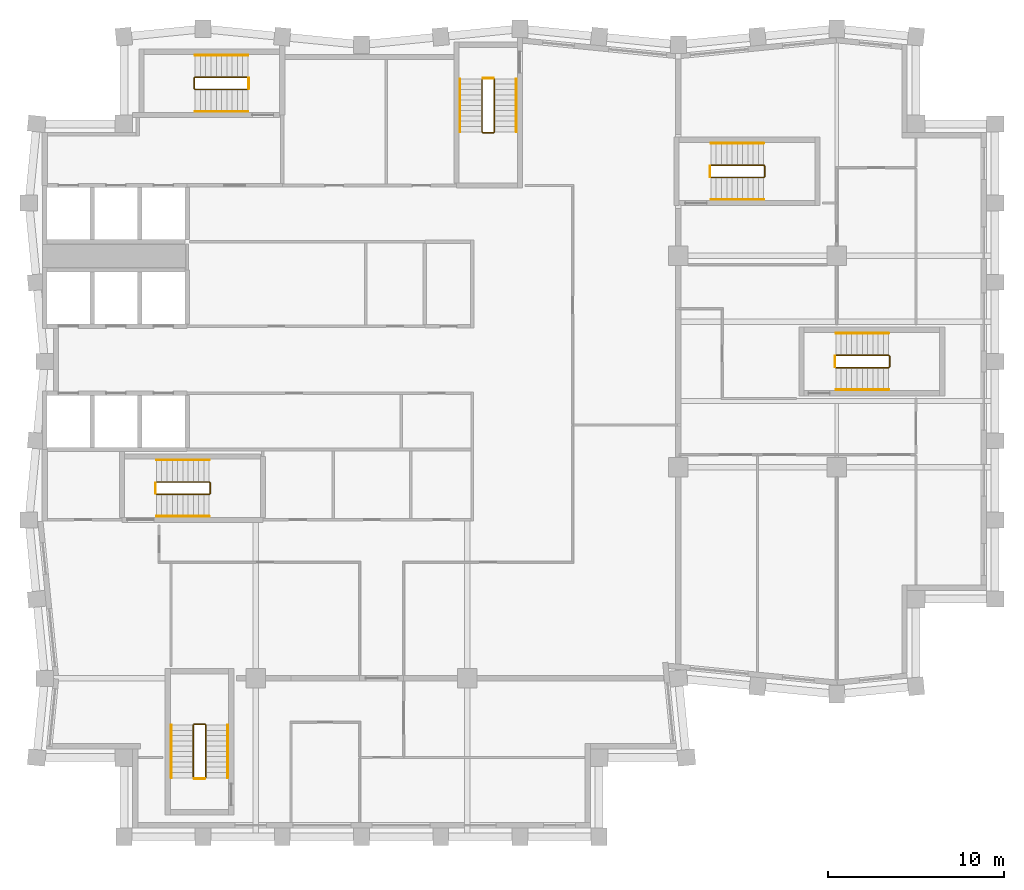
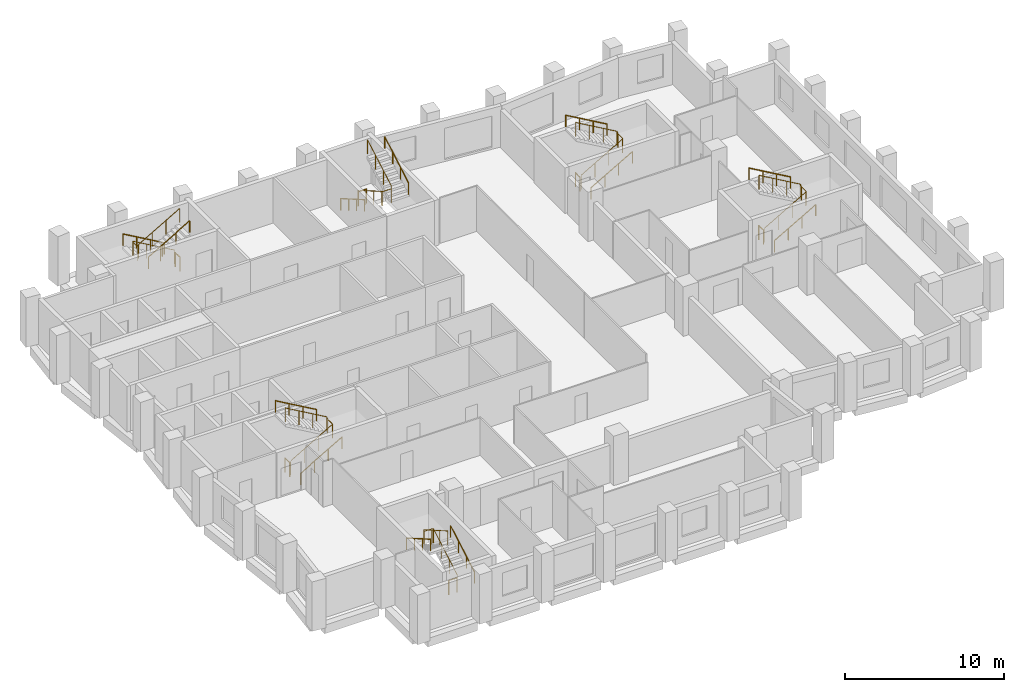
# One storey, part 8 of 8: 24 railings.
"""IFC4 building model written with IfcOpenShell, lengths in metres."""

from ifc_helpers import new_model, si_unit, direction, frame, origin, origin_2d, place, context, subcontext, project, spatial, circle, extrude, material, type_object, element, save


model = new_model("IFC4")

# Units and contexts
model_context = context("Model", 3, precision=1e-05, world=origin(), true_north=direction((0.0, 1.0)))
body_context = subcontext(model_context, "Body", "Model", "MODEL_VIEW")
ifc_project = project(units=[si_unit("LENGTHUNIT", "METRE"), si_unit("AREAUNIT", "SQUARE_METRE"), si_unit("VOLUMEUNIT", "CUBIC_METRE"), si_unit("PLANEANGLEUNIT", "RADIAN"), si_unit("MASSUNIT", "GRAM", prefix="KILO")], contexts=[model_context])

# Site, building, storey
site_placement = place(None, origin())
site = spatial("IfcSite", under=ifc_project, at=site_placement, CompositionType="ELEMENT")
building_placement = place(site_placement, origin())
building = spatial("IfcBuilding", under=site, at=building_placement, Name="Brondeck Convention Tower", CompositionType="ELEMENT")
storey_placement = place(building_placement, frame((0.0, 0.0, 210.199951171875)))
storey = spatial("IfcBuildingStorey", under=building, at=storey_placement, Name="L51", CompositionType="ELEMENT", Elevation=210.199951171875)

# Railings
ifc_material = material(Name="Steel S355", Category="steel")
railing_type_1 = type_object("IfcRailingType", Name="Stair guard 1100", PredefinedType="GUARDRAIL", material=ifc_material)
railing_1_placement = place(storey_placement, frame((6.35009765625, 37.449951171875, 0.1728515625)))
element("IfcRailing", 1, at=railing_1_placement, inside=storey, type_object=railing_type_1, Name="L51 ST-1 stair guard 1", PredefinedType="GUARDRAIL", context=body_context, shape_type="SweptSolid", body=[
    extrude(circle(Radius=0.02392578125, at=origin_2d()), frame((0.0, 0.0, 1.076171875), z_axis=(0.866619684472, 0.0, 0.498969260062), x_axis=(0.0, 1.0, 0.0)), (0.0, 0.0, 1.0), 3.461669921875),
    extrude(circle(Radius=0.02392578125, at=origin_2d()), frame((3.0, 0.0, 2.80322265625), z_axis=(0.705375805398, 0.708833529934, 0.0), x_axis=(-0.708833529934, 0.705375805398, 0.0)), (0.0, 0.0, 1.0), 0.070556640625),
    extrude(circle(Radius=0.02392578125, at=origin_2d()), frame((3.0498046875, 0.050048828125, 2.80322265625), z_axis=(0.0, 1.0, 0.0), x_axis=(-1.0, 0.0, 0.0)), (0.0, 0.0, 1.0), 0.60009765625),
    extrude(circle(Radius=0.02392578125, at=origin_2d()), frame((3.0498046875, 0.650146484375, 2.80322265625), z_axis=(-0.26715648603, 0.26715648603, 0.925880566782), x_axis=(-0.707106781187, -0.707106781187, 0.0)), (0.0, 0.0, 1.0), 0.1865234375),
    extrude(circle(Radius=0.02392578125, at=origin_2d()), frame((3.0, 0.699951171875, 2.97607421875), z_axis=(-0.866619684472, 0.0, 0.498969260062), x_axis=(0.0, -1.0, 0.0)), (0.0, 0.0, 1.0), 3.461669921875),
    extrude(circle(Radius=0.02099609375, at=origin_2d()), origin(), (0.0, 0.0, 1.0), 1.052001953125),
    extrude(circle(Radius=0.02099609375, at=origin_2d()), frame((1.0, 0.0, 0.57568359375)), (0.0, 0.0, 1.0), 1.052001953125),
    extrude(circle(Radius=0.02099609375, at=origin_2d()), frame((2.0, 0.0, 1.151611328125)), (0.0, 0.0, 1.0), 1.052001953125),
    extrude(circle(Radius=0.02099609375, at=origin_2d()), frame((3.0, 0.0, 1.727294921875)), (0.0, 0.0, 1.0), 1.052001953125),
    extrude(circle(Radius=0.02099609375, at=origin_2d()), frame((3.0498046875, 0.050048828125, 1.727294921875)), (0.0, 0.0, 1.0), 1.052001953125),
    extrude(circle(Radius=0.02099609375, at=origin_2d()), frame((3.0498046875, 0.650146484375, 1.727294921875)), (0.0, 0.0, 1.0), 1.052001953125),
    extrude(circle(Radius=0.02099609375, at=origin_2d()), frame((3.0, 0.699951171875, 1.89990234375)), (0.0, 0.0, 1.0), 1.052001953125),
    extrude(circle(Radius=0.02099609375, at=origin_2d()), frame((2.0, 0.699951171875, 2.4755859375)), (0.0, 0.0, 1.0), 1.052001953125),
    extrude(circle(Radius=0.02099609375, at=origin_2d()), frame((1.0, 0.699951171875, 3.051513671875)), (0.0, 0.0, 1.0), 1.052001953125),
    extrude(circle(Radius=0.02099609375, at=origin_2d()), frame((0.0, 0.699951171875, 3.627197265625)), (0.0, 0.0, 1.0), 1.052001953125),
])
railing_2_placement = place(storey_placement, frame((6.300048828125, 37.5, 0.0)))
element("IfcRailing", 2, at=railing_2_placement, inside=storey, type_object=railing_type_1, Name="L51 ST-1 stair guard 2", PredefinedType="GUARDRAIL", context=body_context, shape_type="SweptSolid", body=[
    extrude(circle(Radius=0.02392578125, at=origin_2d()), frame((0.0, 0.0, 1.076171875), z_axis=(0.0, 1.0, 0.0), x_axis=(-1.0, 0.0, 0.0)), (0.0, 0.0, 1.0), 0.60009765625),
    extrude(circle(Radius=0.02099609375, at=origin_2d()), origin(), (0.0, 0.0, 1.0), 1.052001953125),
    extrude(circle(Radius=0.02099609375, at=origin_2d()), frame((0.0, 0.60009765625, 0.0)), (0.0, 0.0, 1.0), 1.052001953125),
])
railing_3_placement = place(storey_placement, frame((24.85009765625, 61.050048828125, 0.1728515625)))
element("IfcRailing", 3, at=railing_3_placement, inside=storey, type_object=railing_type_1, Name="L51 ST-2 stair guard 1", PredefinedType="GUARDRAIL", context=body_context, shape_type="SweptSolid", body=[
    extrude(circle(Radius=0.02392578125, at=origin_2d()), frame((0.0, 0.0, 1.076171875), z_axis=(0.0, -0.866619684472, 0.498969260062), x_axis=(1.0, 0.0, 0.0)), (0.0, 0.0, 1.0), 3.461669921875),
    extrude(circle(Radius=0.02392578125, at=origin_2d()), frame((0.0, -3.0, 2.80322265625), z_axis=(0.705375805398, -0.708833529934, 0.0), x_axis=(0.708833529934, 0.705375805398, 0.0)), (0.0, 0.0, 1.0), 0.070556640625),
    extrude(circle(Radius=0.02392578125, at=origin_2d()), frame((0.0498046875, -3.050048828125, 2.80322265625), z_axis=(1.0, 0.0, 0.0), x_axis=(0.0, 1.0, 0.0)), (0.0, 0.0, 1.0), 0.60009765625),
    extrude(circle(Radius=0.02392578125, at=origin_2d()), frame((0.64990234375, -3.050048828125, 2.80322265625), z_axis=(0.268277960024, 0.268277960024, 0.925231793839), x_axis=(-0.707106781187, 0.707106781187, 0.0)), (0.0, 0.0, 1.0), 0.1865234375),
    extrude(circle(Radius=0.02392578125, at=origin_2d()), frame((0.699951171875, -3.0, 2.97607421875), z_axis=(0.0, 0.866619684472, 0.498969260062), x_axis=(-1.0, 0.0, 0.0)), (0.0, 0.0, 1.0), 3.461669921875),
    extrude(circle(Radius=0.02099609375, at=origin_2d()), origin(), (0.0, 0.0, 1.0), 1.052001953125),
    extrude(circle(Radius=0.02099609375, at=origin_2d()), frame((0.0, -1.0, 0.57568359375)), (0.0, 0.0, 1.0), 1.052001953125),
    extrude(circle(Radius=0.02099609375, at=origin_2d()), frame((0.0, -2.0, 1.151611328125)), (0.0, 0.0, 1.0), 1.052001953125),
    extrude(circle(Radius=0.02099609375, at=origin_2d()), frame((0.0, -3.0, 1.727294921875)), (0.0, 0.0, 1.0), 1.052001953125),
    extrude(circle(Radius=0.02099609375, at=origin_2d()), frame((0.0498046875, -3.050048828125, 1.727294921875)), (0.0, 0.0, 1.0), 1.052001953125),
    extrude(circle(Radius=0.02099609375, at=origin_2d()), frame((0.64990234375, -3.050048828125, 1.727294921875)), (0.0, 0.0, 1.0), 1.052001953125),
    extrude(circle(Radius=0.02099609375, at=origin_2d()), frame((0.699951171875, -3.0, 1.89990234375)), (0.0, 0.0, 1.0), 1.052001953125),
    extrude(circle(Radius=0.02099609375, at=origin_2d()), frame((0.699951171875, -2.0, 2.4755859375)), (0.0, 0.0, 1.0), 1.052001953125),
    extrude(circle(Radius=0.02099609375, at=origin_2d()), frame((0.699951171875, -1.0, 3.051513671875)), (0.0, 0.0, 1.0), 1.052001953125),
    extrude(circle(Radius=0.02099609375, at=origin_2d()), frame((0.699951171875, 0.0, 3.627197265625)), (0.0, 0.0, 1.0), 1.052001953125),
])
railing_4_placement = place(storey_placement, frame((24.89990234375, 61.10009765625, 0.0)))
element("IfcRailing", 4, at=railing_4_placement, inside=storey, type_object=railing_type_1, Name="L51 ST-2 stair guard 2", PredefinedType="GUARDRAIL", context=body_context, shape_type="SweptSolid", body=[
    extrude(circle(Radius=0.02392578125, at=origin_2d()), frame((0.0, 0.0, 1.076171875), z_axis=(1.0, 0.0, 0.0), x_axis=(0.0, 1.0, 0.0)), (0.0, 0.0, 1.0), 0.60009765625),
    extrude(circle(Radius=0.02099609375, at=origin_2d()), origin(), (0.0, 0.0, 1.0), 1.052001953125),
    extrude(circle(Radius=0.02099609375, at=origin_2d()), frame((0.60009765625, 0.0, 0.0)), (0.0, 0.0, 1.0), 1.052001953125),
])
railing_5_placement = place(storey_placement, frame((11.550048828125, 61.14990234375, 0.1728515625)))
element("IfcRailing", 5, at=railing_5_placement, inside=storey, type_object=railing_type_1, Name="L51 ST-3 stair guard 1", PredefinedType="GUARDRAIL", context=body_context, shape_type="SweptSolid", body=[
    extrude(circle(Radius=0.02392578125, at=origin_2d()), frame((0.0, 0.0, 1.076171875), z_axis=(-0.866619684472, 0.0, 0.498969260062), x_axis=(0.0, -1.0, 0.0)), (0.0, 0.0, 1.0), 3.461669921875),
    extrude(circle(Radius=0.02392578125, at=origin_2d()), frame((-3.0, 0.0, 2.80322265625), z_axis=(-0.708833529934, -0.705375805398, 0.0), x_axis=(0.705375805398, -0.708833529934, 0.0)), (0.0, 0.0, 1.0), 0.070556640625),
    extrude(circle(Radius=0.02392578125, at=origin_2d()), frame((-3.050048828125, -0.0498046875, 2.80322265625), z_axis=(0.0, -1.0, 0.0), x_axis=(1.0, 0.0, 0.0)), (0.0, 0.0, 1.0), 0.60009765625),
    extrude(circle(Radius=0.02392578125, at=origin_2d()), frame((-3.050048828125, -0.64990234375, 2.80322265625), z_axis=(0.268277960024, -0.268277960024, 0.925231793839), x_axis=(0.707106781187, 0.707106781187, 0.0)), (0.0, 0.0, 1.0), 0.1865234375),
    extrude(circle(Radius=0.02392578125, at=origin_2d()), frame((-3.0, -0.699951171875, 2.97607421875), z_axis=(0.866619684472, 0.0, 0.498969260062), x_axis=(0.0, 1.0, 0.0)), (0.0, 0.0, 1.0), 3.461669921875),
    extrude(circle(Radius=0.02099609375, at=origin_2d()), origin(), (0.0, 0.0, 1.0), 1.052001953125),
    extrude(circle(Radius=0.02099609375, at=origin_2d()), frame((-1.0, 0.0, 0.57568359375)), (0.0, 0.0, 1.0), 1.052001953125),
    extrude(circle(Radius=0.02099609375, at=origin_2d()), frame((-2.0, 0.0, 1.151611328125)), (0.0, 0.0, 1.0), 1.052001953125),
    extrude(circle(Radius=0.02099609375, at=origin_2d()), frame((-3.0, 0.0, 1.727294921875)), (0.0, 0.0, 1.0), 1.052001953125),
    extrude(circle(Radius=0.02099609375, at=origin_2d()), frame((-3.050048828125, -0.0498046875, 1.727294921875)), (0.0, 0.0, 1.0), 1.052001953125),
    extrude(circle(Radius=0.02099609375, at=origin_2d()), frame((-3.050048828125, -0.64990234375, 1.727294921875)), (0.0, 0.0, 1.0), 1.052001953125),
    extrude(circle(Radius=0.02099609375, at=origin_2d()), frame((-3.0, -0.699951171875, 1.89990234375)), (0.0, 0.0, 1.0), 1.052001953125),
    extrude(circle(Radius=0.02099609375, at=origin_2d()), frame((-2.0, -0.699951171875, 2.4755859375)), (0.0, 0.0, 1.0), 1.052001953125),
    extrude(circle(Radius=0.02099609375, at=origin_2d()), frame((-1.0, -0.699951171875, 3.051513671875)), (0.0, 0.0, 1.0), 1.052001953125),
    extrude(circle(Radius=0.02099609375, at=origin_2d()), frame((0.0, -0.699951171875, 3.627197265625)), (0.0, 0.0, 1.0), 1.052001953125),
])
railing_6_placement = place(storey_placement, frame((11.60009765625, 61.10009765625, 0.0)))
element("IfcRailing", 6, at=railing_6_placement, inside=storey, type_object=railing_type_1, Name="L51 ST-3 stair guard 2", PredefinedType="GUARDRAIL", context=body_context, shape_type="SweptSolid", body=[
    extrude(circle(Radius=0.02392578125, at=origin_2d()), frame((0.0, 0.0, 1.076171875), z_axis=(0.0, -1.0, 0.0), x_axis=(1.0, 0.0, 0.0)), (0.0, 0.0, 1.0), 0.60009765625),
    extrude(circle(Radius=0.02099609375, at=origin_2d()), origin(), (0.0, 0.0, 1.0), 1.052001953125),
    extrude(circle(Radius=0.02099609375, at=origin_2d()), frame((0.0, -0.60009765625, 0.0)), (0.0, 0.0, 1.0), 1.052001953125),
])
railing_7_placement = place(storey_placement, frame((37.85009765625, 55.449951171875, 0.1728515625)))
element("IfcRailing", 7, at=railing_7_placement, inside=storey, type_object=railing_type_1, Name="L51 ST-AE stair guard 1", PredefinedType="GUARDRAIL", context=body_context, shape_type="SweptSolid", body=[
    extrude(circle(Radius=0.02392578125, at=origin_2d()), frame((0.0, 0.0, 1.076171875), z_axis=(0.866619684472, 0.0, 0.498969260062), x_axis=(0.0, 1.0, 0.0)), (0.0, 0.0, 1.0), 3.461669921875),
    extrude(circle(Radius=0.02392578125, at=origin_2d()), frame((3.0, 0.0, 2.80322265625), z_axis=(0.705375805398, 0.708833529934, 0.0), x_axis=(-0.708833529934, 0.705375805398, 0.0)), (0.0, 0.0, 1.0), 0.070556640625),
    extrude(circle(Radius=0.02392578125, at=origin_2d()), frame((3.0498046875, 0.050048828125, 2.80322265625), z_axis=(0.0, 1.0, 0.0), x_axis=(-1.0, 0.0, 0.0)), (0.0, 0.0, 1.0), 0.60009765625),
    extrude(circle(Radius=0.02392578125, at=origin_2d()), frame((3.0498046875, 0.650146484375, 2.80322265625), z_axis=(-0.26715648603, 0.26715648603, 0.925880566782), x_axis=(-0.707106781187, -0.707106781187, 0.0)), (0.0, 0.0, 1.0), 0.1865234375),
    extrude(circle(Radius=0.02392578125, at=origin_2d()), frame((3.0, 0.699951171875, 2.97607421875), z_axis=(-0.866619684472, 0.0, 0.498969260062), x_axis=(0.0, -1.0, 0.0)), (0.0, 0.0, 1.0), 3.461669921875),
    extrude(circle(Radius=0.02099609375, at=origin_2d()), origin(), (0.0, 0.0, 1.0), 1.052001953125),
    extrude(circle(Radius=0.02099609375, at=origin_2d()), frame((1.0, 0.0, 0.57568359375)), (0.0, 0.0, 1.0), 1.052001953125),
    extrude(circle(Radius=0.02099609375, at=origin_2d()), frame((2.0, 0.0, 1.151611328125)), (0.0, 0.0, 1.0), 1.052001953125),
    extrude(circle(Radius=0.02099609375, at=origin_2d()), frame((3.0, 0.0, 1.727294921875)), (0.0, 0.0, 1.0), 1.052001953125),
    extrude(circle(Radius=0.02099609375, at=origin_2d()), frame((3.0498046875, 0.050048828125, 1.727294921875)), (0.0, 0.0, 1.0), 1.052001953125),
    extrude(circle(Radius=0.02099609375, at=origin_2d()), frame((3.0498046875, 0.650146484375, 1.727294921875)), (0.0, 0.0, 1.0), 1.052001953125),
    extrude(circle(Radius=0.02099609375, at=origin_2d()), frame((3.0, 0.699951171875, 1.89990234375)), (0.0, 0.0, 1.0), 1.052001953125),
    extrude(circle(Radius=0.02099609375, at=origin_2d()), frame((2.0, 0.699951171875, 2.4755859375)), (0.0, 0.0, 1.0), 1.052001953125),
    extrude(circle(Radius=0.02099609375, at=origin_2d()), frame((1.0, 0.699951171875, 3.051513671875)), (0.0, 0.0, 1.0), 1.052001953125),
    extrude(circle(Radius=0.02099609375, at=origin_2d()), frame((0.0, 0.699951171875, 3.627197265625)), (0.0, 0.0, 1.0), 1.052001953125),
])
railing_8_placement = place(storey_placement, frame((37.800048828125, 55.5, 0.0)))
element("IfcRailing", 8, at=railing_8_placement, inside=storey, type_object=railing_type_1, Name="L51 ST-AE stair guard 2", PredefinedType="GUARDRAIL", context=body_context, shape_type="SweptSolid", body=[
    extrude(circle(Radius=0.02392578125, at=origin_2d()), frame((0.0, 0.0, 1.076171875), z_axis=(0.0, 1.0, 0.0), x_axis=(-1.0, 0.0, 0.0)), (0.0, 0.0, 1.0), 0.60009765625),
    extrude(circle(Radius=0.02099609375, at=origin_2d()), origin(), (0.0, 0.0, 1.0), 1.052001953125),
    extrude(circle(Radius=0.02099609375, at=origin_2d()), frame((0.0, 0.60009765625, 0.0)), (0.0, 0.0, 1.0), 1.052001953125),
])
railing_9_placement = place(storey_placement, frame((9.14990234375, 21.35009765625, 0.1728515625)))
element("IfcRailing", 9, at=railing_9_placement, inside=storey, type_object=railing_type_1, Name="L51 ST-BE stair guard 1", PredefinedType="GUARDRAIL", context=body_context, shape_type="SweptSolid", body=[
    extrude(circle(Radius=0.02392578125, at=origin_2d()), frame((0.0, 0.0, 1.076171875), z_axis=(0.0, 0.866619684472, 0.498969260062), x_axis=(-1.0, 0.0, 0.0)), (0.0, 0.0, 1.0), 3.461669921875),
    extrude(circle(Radius=0.02392578125, at=origin_2d()), frame((0.0, 3.0, 2.80322265625), z_axis=(-0.707106781187, 0.707106781187, 0.0), x_axis=(-0.707106781187, -0.707106781187, 0.0)), (0.0, 0.0, 1.0), 0.0703125),
    extrude(circle(Radius=0.02392578125, at=origin_2d()), frame((-0.0498046875, 3.0498046875, 2.80322265625), z_axis=(-1.0, 0.0, 0.0), x_axis=(0.0, -1.0, 0.0)), (0.0, 0.0, 1.0), 0.60009765625),
    extrude(circle(Radius=0.02392578125, at=origin_2d()), frame((-0.64990234375, 3.0498046875, 2.80322265625), z_axis=(-0.268371968888, -0.267062837333, 0.925556009775), x_axis=(0.705375805398, -0.708833529934, 0.0)), (0.0, 0.0, 1.0), 0.1865234375),
    extrude(circle(Radius=0.02392578125, at=origin_2d()), frame((-0.699951171875, 3.0, 2.97607421875), z_axis=(0.0, -0.866619684472, 0.498969260062), x_axis=(1.0, 0.0, 0.0)), (0.0, 0.0, 1.0), 3.461669921875),
    extrude(circle(Radius=0.02099609375, at=origin_2d()), origin(), (0.0, 0.0, 1.0), 1.052001953125),
    extrude(circle(Radius=0.02099609375, at=origin_2d()), frame((0.0, 1.0, 0.57568359375)), (0.0, 0.0, 1.0), 1.052001953125),
    extrude(circle(Radius=0.02099609375, at=origin_2d()), frame((0.0, 2.0, 1.151611328125)), (0.0, 0.0, 1.0), 1.052001953125),
    extrude(circle(Radius=0.02099609375, at=origin_2d()), frame((0.0, 3.0, 1.727294921875)), (0.0, 0.0, 1.0), 1.052001953125),
    extrude(circle(Radius=0.02099609375, at=origin_2d()), frame((-0.0498046875, 3.0498046875, 1.727294921875)), (0.0, 0.0, 1.0), 1.052001953125),
    extrude(circle(Radius=0.02099609375, at=origin_2d()), frame((-0.64990234375, 3.0498046875, 1.727294921875)), (0.0, 0.0, 1.0), 1.052001953125),
    extrude(circle(Radius=0.02099609375, at=origin_2d()), frame((-0.699951171875, 3.0, 1.89990234375)), (0.0, 0.0, 1.0), 1.052001953125),
    extrude(circle(Radius=0.02099609375, at=origin_2d()), frame((-0.699951171875, 2.0, 2.4755859375)), (0.0, 0.0, 1.0), 1.052001953125),
    extrude(circle(Radius=0.02099609375, at=origin_2d()), frame((-0.699951171875, 1.0, 3.051513671875)), (0.0, 0.0, 1.0), 1.052001953125),
    extrude(circle(Radius=0.02099609375, at=origin_2d()), frame((-0.699951171875, 0.0, 3.627197265625)), (0.0, 0.0, 1.0), 1.052001953125),
])
railing_10_placement = place(storey_placement, frame((9.10009765625, 21.300048828125, 0.0)))
element("IfcRailing", 10, at=railing_10_placement, inside=storey, type_object=railing_type_1, Name="L51 ST-BE stair guard 2", PredefinedType="GUARDRAIL", context=body_context, shape_type="SweptSolid", body=[
    extrude(circle(Radius=0.02392578125, at=origin_2d()), frame((0.0, 0.0, 1.076171875), z_axis=(-1.0, 0.0, 0.0), x_axis=(0.0, -1.0, 0.0)), (0.0, 0.0, 1.0), 0.60009765625),
    extrude(circle(Radius=0.02099609375, at=origin_2d()), origin(), (0.0, 0.0, 1.0), 1.052001953125),
    extrude(circle(Radius=0.02099609375, at=origin_2d()), frame((-0.60009765625, 0.0, 0.0)), (0.0, 0.0, 1.0), 1.052001953125),
])
railing_11_placement = place(storey_placement, frame((44.949951171875, 44.64990234375, 0.1728515625)))
element("IfcRailing", 11, at=railing_11_placement, inside=storey, type_object=railing_type_1, Name="L51 ST-AF stair guard 1", PredefinedType="GUARDRAIL", context=body_context, shape_type="SweptSolid", body=[
    extrude(circle(Radius=0.02392578125, at=origin_2d()), frame((0.0, 0.0, 1.076171875), z_axis=(0.866619684472, 0.0, 0.498969260062), x_axis=(0.0, 1.0, 0.0)), (0.0, 0.0, 1.0), 3.461669921875),
    extrude(circle(Radius=0.02392578125, at=origin_2d()), frame((3.0, 0.0, 2.80322265625), z_axis=(0.707106781187, 0.707106781187, 0.0), x_axis=(-0.707106781187, 0.707106781187, 0.0)), (0.0, 0.0, 1.0), 0.07080078125),
    extrude(circle(Radius=0.02392578125, at=origin_2d()), frame((3.050048828125, 0.050048828125, 2.80322265625), z_axis=(0.0, 1.0, 0.0), x_axis=(-1.0, 0.0, 0.0)), (0.0, 0.0, 1.0), 0.60009765625),
    extrude(circle(Radius=0.02392578125, at=origin_2d()), frame((3.050048828125, 0.650146484375, 2.80322265625), z_axis=(-0.268277960024, 0.268277960024, 0.925231793839), x_axis=(-0.707106781187, -0.707106781187, 0.0)), (0.0, 0.0, 1.0), 0.1865234375),
    extrude(circle(Radius=0.02392578125, at=origin_2d()), frame((3.0, 0.7001953125, 2.97607421875), z_axis=(-0.866619684472, 0.0, 0.498969260062), x_axis=(0.0, -1.0, 0.0)), (0.0, 0.0, 1.0), 3.461669921875),
    extrude(circle(Radius=0.02099609375, at=origin_2d()), origin(), (0.0, 0.0, 1.0), 1.052001953125),
    extrude(circle(Radius=0.02099609375, at=origin_2d()), frame((1.0, 0.0, 0.57568359375)), (0.0, 0.0, 1.0), 1.052001953125),
    extrude(circle(Radius=0.02099609375, at=origin_2d()), frame((2.0, 0.0, 1.151611328125)), (0.0, 0.0, 1.0), 1.052001953125),
    extrude(circle(Radius=0.02099609375, at=origin_2d()), frame((3.0, 0.0, 1.727294921875)), (0.0, 0.0, 1.0), 1.052001953125),
    extrude(circle(Radius=0.02099609375, at=origin_2d()), frame((3.050048828125, 0.050048828125, 1.727294921875)), (0.0, 0.0, 1.0), 1.052001953125),
    extrude(circle(Radius=0.02099609375, at=origin_2d()), frame((3.050048828125, 0.650146484375, 1.727294921875)), (0.0, 0.0, 1.0), 1.052001953125),
    extrude(circle(Radius=0.02099609375, at=origin_2d()), frame((3.0, 0.7001953125, 1.89990234375)), (0.0, 0.0, 1.0), 1.052001953125),
    extrude(circle(Radius=0.02099609375, at=origin_2d()), frame((2.0, 0.7001953125, 2.4755859375)), (0.0, 0.0, 1.0), 1.052001953125),
    extrude(circle(Radius=0.02099609375, at=origin_2d()), frame((1.0, 0.7001953125, 3.051513671875)), (0.0, 0.0, 1.0), 1.052001953125),
    extrude(circle(Radius=0.02099609375, at=origin_2d()), frame((0.0, 0.7001953125, 3.627197265625)), (0.0, 0.0, 1.0), 1.052001953125),
])
railing_12_placement = place(storey_placement, frame((44.89990234375, 44.699951171875, 0.0)))
element("IfcRailing", 12, at=railing_12_placement, inside=storey, type_object=railing_type_1, Name="L51 ST-AF stair guard 2", PredefinedType="GUARDRAIL", context=body_context, shape_type="SweptSolid", body=[
    extrude(circle(Radius=0.02392578125, at=origin_2d()), frame((0.0, 0.0, 1.076171875), z_axis=(0.0, 1.0, 0.0), x_axis=(-1.0, 0.0, 0.0)), (0.0, 0.0, 1.0), 0.60009765625),
    extrude(circle(Radius=0.02099609375, at=origin_2d()), origin(), (0.0, 0.0, 1.0), 1.052001953125),
    extrude(circle(Radius=0.02099609375, at=origin_2d()), frame((0.0, 0.60009765625, 0.0)), (0.0, 0.0, 1.0), 1.052001953125),
])
railing_type_2 = type_object("IfcRailingType", Name="Stair handrail", PredefinedType="HANDRAIL", material=ifc_material)
railing_13_placement = place(storey_placement, frame((6.35009765625, 36.199951171875, 0.1728515625)))
element("IfcRailing", 13, at=railing_13_placement, inside=storey, type_object=railing_type_2, Name="L51 ST-1 stair handrail 1", PredefinedType="HANDRAIL", context=body_context, shape_type="SweptSolid", body=[
    extrude(circle(Radius=0.02392578125, at=origin_2d()), frame((0.0, 0.0, 0.8759765625), z_axis=(0.866619684472, 0.0, 0.498969260062), x_axis=(0.0, 1.0, 0.0)), (0.0, 0.0, 1.0), 3.461669921875),
    extrude(circle(Radius=0.02099609375, at=origin_2d()), origin(), (0.0, 0.0, 1.0), 0.851806640625),
    extrude(circle(Radius=0.02099609375, at=origin_2d()), frame((1.0, 0.0, 0.57568359375)), (0.0, 0.0, 1.0), 0.851806640625),
    extrude(circle(Radius=0.02099609375, at=origin_2d()), frame((2.0, 0.0, 1.151611328125)), (0.0, 0.0, 1.0), 0.851806640625),
    extrude(circle(Radius=0.02099609375, at=origin_2d()), frame((3.0, 0.0, 1.727294921875)), (0.0, 0.0, 1.0), 0.851806640625),
])
railing_14_placement = place(storey_placement, frame((9.35009765625, 39.39990234375, 2.07275390625)))
element("IfcRailing", 14, at=railing_14_placement, inside=storey, type_object=railing_type_2, Name="L51 ST-1 stair handrail 2", PredefinedType="HANDRAIL", context=body_context, shape_type="SweptSolid", body=[
    extrude(circle(Radius=0.02392578125, at=origin_2d()), frame((0.0, 0.0, 0.8759765625), z_axis=(-0.866619684472, 0.0, 0.498969260062), x_axis=(0.0, -1.0, 0.0)), (0.0, 0.0, 1.0), 3.461669921875),
    extrude(circle(Radius=0.02099609375, at=origin_2d()), origin(), (0.0, 0.0, 1.0), 0.851806640625),
    extrude(circle(Radius=0.02099609375, at=origin_2d()), frame((-1.0, 0.0, 0.57568359375)), (0.0, 0.0, 1.0), 0.851806640625),
    extrude(circle(Radius=0.02099609375, at=origin_2d()), frame((-2.0, 0.0, 1.151611328125)), (0.0, 0.0, 1.0), 0.851806640625),
    extrude(circle(Radius=0.02099609375, at=origin_2d()), frame((-3.0, 0.0, 1.727294921875)), (0.0, 0.0, 1.0), 0.851806640625),
])
railing_15_placement = place(storey_placement, frame((23.60009765625, 61.050048828125, 0.1728515625)))
element("IfcRailing", 15, at=railing_15_placement, inside=storey, type_object=railing_type_2, Name="L51 ST-2 stair handrail 1", PredefinedType="HANDRAIL", context=body_context, shape_type="SweptSolid", body=[
    extrude(circle(Radius=0.02392578125, at=origin_2d()), frame((0.0, 0.0, 0.8759765625), z_axis=(0.0, -0.866619684472, 0.498969260062), x_axis=(1.0, 0.0, 0.0)), (0.0, 0.0, 1.0), 3.461669921875),
    extrude(circle(Radius=0.02099609375, at=origin_2d()), origin(), (0.0, 0.0, 1.0), 0.851806640625),
    extrude(circle(Radius=0.02099609375, at=origin_2d()), frame((0.0, -1.0, 0.57568359375)), (0.0, 0.0, 1.0), 0.851806640625),
    extrude(circle(Radius=0.02099609375, at=origin_2d()), frame((0.0, -2.0, 1.151611328125)), (0.0, 0.0, 1.0), 0.851806640625),
    extrude(circle(Radius=0.02099609375, at=origin_2d()), frame((0.0, -3.0, 1.727294921875)), (0.0, 0.0, 1.0), 0.851806640625),
])
railing_16_placement = place(storey_placement, frame((26.800048828125, 58.050048828125, 2.07275390625)))
element("IfcRailing", 16, at=railing_16_placement, inside=storey, type_object=railing_type_2, Name="L51 ST-2 stair handrail 2", PredefinedType="HANDRAIL", context=body_context, shape_type="SweptSolid", body=[
    extrude(circle(Radius=0.02392578125, at=origin_2d()), frame((0.0, 0.0, 0.8759765625), z_axis=(0.0, 0.866619684472, 0.498969260062), x_axis=(-1.0, 0.0, 0.0)), (0.0, 0.0, 1.0), 3.461669921875),
    extrude(circle(Radius=0.02099609375, at=origin_2d()), origin(), (0.0, 0.0, 1.0), 0.851806640625),
    extrude(circle(Radius=0.02099609375, at=origin_2d()), frame((0.0, 1.0, 0.57568359375)), (0.0, 0.0, 1.0), 0.851806640625),
    extrude(circle(Radius=0.02099609375, at=origin_2d()), frame((0.0, 2.0, 1.151611328125)), (0.0, 0.0, 1.0), 0.851806640625),
    extrude(circle(Radius=0.02099609375, at=origin_2d()), frame((0.0, 3.0, 1.727294921875)), (0.0, 0.0, 1.0), 0.851806640625),
])
railing_17_placement = place(storey_placement, frame((11.550048828125, 62.39990234375, 0.1728515625)))
element("IfcRailing", 17, at=railing_17_placement, inside=storey, type_object=railing_type_2, Name="L51 ST-3 stair handrail 1", PredefinedType="HANDRAIL", context=body_context, shape_type="SweptSolid", body=[
    extrude(circle(Radius=0.02392578125, at=origin_2d()), frame((0.0, 0.0, 0.8759765625), z_axis=(-0.866619684472, 0.0, 0.498969260062), x_axis=(0.0, -1.0, 0.0)), (0.0, 0.0, 1.0), 3.461669921875),
    extrude(circle(Radius=0.02099609375, at=origin_2d()), origin(), (0.0, 0.0, 1.0), 0.851806640625),
    extrude(circle(Radius=0.02099609375, at=origin_2d()), frame((-1.0, 0.0, 0.57568359375)), (0.0, 0.0, 1.0), 0.851806640625),
    extrude(circle(Radius=0.02099609375, at=origin_2d()), frame((-2.0, 0.0, 1.151611328125)), (0.0, 0.0, 1.0), 0.851806640625),
    extrude(circle(Radius=0.02099609375, at=origin_2d()), frame((-3.0, 0.0, 1.727294921875)), (0.0, 0.0, 1.0), 0.851806640625),
])
for number, where, name in (
    (18, (8.550048828125, 59.199951171875, 2.07275390625), "L51 ST-3 stair handrail 2"),
    (19, (37.85009765625, 54.199951171875, 0.1728515625), "L51 ST-AE stair handrail 1"),
):
    element("IfcRailing", number, at=place(storey_placement, frame(where)), inside=storey, type_object=railing_type_2, Name=name, PredefinedType="HANDRAIL", context=body_context, shape_type="SweptSolid", body=[
        extrude(circle(Radius=0.02392578125, at=origin_2d()), frame((0.0, 0.0, 0.8759765625), z_axis=(0.866619684472, 0.0, 0.498969260062), x_axis=(0.0, 1.0, 0.0)), (0.0, 0.0, 1.0), 3.461669921875),
        extrude(circle(Radius=0.02099609375, at=origin_2d()), origin(), (0.0, 0.0, 1.0), 0.851806640625),
        extrude(circle(Radius=0.02099609375, at=origin_2d()), frame((1.0, 0.0, 0.57568359375)), (0.0, 0.0, 1.0), 0.851806640625),
        extrude(circle(Radius=0.02099609375, at=origin_2d()), frame((2.0, 0.0, 1.151611328125)), (0.0, 0.0, 1.0), 0.851806640625),
        extrude(circle(Radius=0.02099609375, at=origin_2d()), frame((3.0, 0.0, 1.727294921875)), (0.0, 0.0, 1.0), 0.851806640625),
    ])
railing_18_placement = place(storey_placement, frame((40.85009765625, 57.39990234375, 2.07275390625)))
element("IfcRailing", 20, at=railing_18_placement, inside=storey, type_object=railing_type_2, Name="L51 ST-AE stair handrail 2", PredefinedType="HANDRAIL", context=body_context, shape_type="SweptSolid", body=[
    extrude(circle(Radius=0.02392578125, at=origin_2d()), frame((0.0, 0.0, 0.8759765625), z_axis=(-0.866619684472, 0.0, 0.498969260062), x_axis=(0.0, -1.0, 0.0)), (0.0, 0.0, 1.0), 3.461669921875),
    extrude(circle(Radius=0.02099609375, at=origin_2d()), origin(), (0.0, 0.0, 1.0), 0.851806640625),
    extrude(circle(Radius=0.02099609375, at=origin_2d()), frame((-1.0, 0.0, 0.57568359375)), (0.0, 0.0, 1.0), 0.851806640625),
    extrude(circle(Radius=0.02099609375, at=origin_2d()), frame((-2.0, 0.0, 1.151611328125)), (0.0, 0.0, 1.0), 0.851806640625),
    extrude(circle(Radius=0.02099609375, at=origin_2d()), frame((-3.0, 0.0, 1.727294921875)), (0.0, 0.0, 1.0), 0.851806640625),
])
railing_19_placement = place(storey_placement, frame((10.39990234375, 21.35009765625, 0.1728515625)))
element("IfcRailing", 21, at=railing_19_placement, inside=storey, type_object=railing_type_2, Name="L51 ST-BE stair handrail 1", PredefinedType="HANDRAIL", context=body_context, shape_type="SweptSolid", body=[
    extrude(circle(Radius=0.02392578125, at=origin_2d()), frame((0.0, 0.0, 0.8759765625), z_axis=(0.0, 0.866619684472, 0.498969260062), x_axis=(-1.0, 0.0, 0.0)), (0.0, 0.0, 1.0), 3.461669921875),
    extrude(circle(Radius=0.02099609375, at=origin_2d()), origin(), (0.0, 0.0, 1.0), 0.851806640625),
    extrude(circle(Radius=0.02099609375, at=origin_2d()), frame((0.0, 1.0, 0.57568359375)), (0.0, 0.0, 1.0), 0.851806640625),
    extrude(circle(Radius=0.02099609375, at=origin_2d()), frame((0.0, 2.0, 1.151611328125)), (0.0, 0.0, 1.0), 0.851806640625),
    extrude(circle(Radius=0.02099609375, at=origin_2d()), frame((0.0, 3.0, 1.727294921875)), (0.0, 0.0, 1.0), 0.851806640625),
])
railing_20_placement = place(storey_placement, frame((7.199951171875, 24.35009765625, 2.07275390625)))
element("IfcRailing", 22, at=railing_20_placement, inside=storey, type_object=railing_type_2, Name="L51 ST-BE stair handrail 2", PredefinedType="HANDRAIL", context=body_context, shape_type="SweptSolid", body=[
    extrude(circle(Radius=0.02392578125, at=origin_2d()), frame((0.0, 0.0, 0.8759765625), z_axis=(0.0, -0.866619684472, 0.498969260062), x_axis=(1.0, 0.0, 0.0)), (0.0, 0.0, 1.0), 3.461669921875),
    extrude(circle(Radius=0.02099609375, at=origin_2d()), origin(), (0.0, 0.0, 1.0), 0.851806640625),
    extrude(circle(Radius=0.02099609375, at=origin_2d()), frame((0.0, -1.0, 0.57568359375)), (0.0, 0.0, 1.0), 0.851806640625),
    extrude(circle(Radius=0.02099609375, at=origin_2d()), frame((0.0, -2.0, 1.151611328125)), (0.0, 0.0, 1.0), 0.851806640625),
    extrude(circle(Radius=0.02099609375, at=origin_2d()), frame((0.0, -3.0, 1.727294921875)), (0.0, 0.0, 1.0), 0.851806640625),
])
railing_21_placement = place(storey_placement, frame((44.949951171875, 43.39990234375, 0.1728515625)))
element("IfcRailing", 23, at=railing_21_placement, inside=storey, type_object=railing_type_2, Name="L51 ST-AF stair handrail 1", PredefinedType="HANDRAIL", context=body_context, shape_type="SweptSolid", body=[
    extrude(circle(Radius=0.02392578125, at=origin_2d()), frame((0.0, 0.0, 0.8759765625), z_axis=(0.866619684472, 0.0, 0.498969260062), x_axis=(0.0, 1.0, 0.0)), (0.0, 0.0, 1.0), 3.461669921875),
    extrude(circle(Radius=0.02099609375, at=origin_2d()), origin(), (0.0, 0.0, 1.0), 0.851806640625),
    extrude(circle(Radius=0.02099609375, at=origin_2d()), frame((1.0, 0.0, 0.57568359375)), (0.0, 0.0, 1.0), 0.851806640625),
    extrude(circle(Radius=0.02099609375, at=origin_2d()), frame((2.0, 0.0, 1.151611328125)), (0.0, 0.0, 1.0), 0.851806640625),
    extrude(circle(Radius=0.02099609375, at=origin_2d()), frame((3.0, 0.0, 1.727294921875)), (0.0, 0.0, 1.0), 0.851806640625),
])
railing_22_placement = place(storey_placement, frame((47.949951171875, 46.60009765625, 2.07275390625)))
element("IfcRailing", 24, at=railing_22_placement, inside=storey, type_object=railing_type_2, Name="L51 ST-AF stair handrail 2", PredefinedType="HANDRAIL", context=body_context, shape_type="SweptSolid", body=[
    extrude(circle(Radius=0.02392578125, at=origin_2d()), frame((0.0, 0.0, 0.8759765625), z_axis=(-0.866619684472, 0.0, 0.498969260062), x_axis=(0.0, -1.0, 0.0)), (0.0, 0.0, 1.0), 3.461669921875),
    extrude(circle(Radius=0.02099609375, at=origin_2d()), origin(), (0.0, 0.0, 1.0), 0.851806640625),
    extrude(circle(Radius=0.02099609375, at=origin_2d()), frame((-1.0, 0.0, 0.57568359375)), (0.0, 0.0, 1.0), 0.851806640625),
    extrude(circle(Radius=0.02099609375, at=origin_2d()), frame((-2.0, 0.0, 1.151611328125)), (0.0, 0.0, 1.0), 0.851806640625),
    extrude(circle(Radius=0.02099609375, at=origin_2d()), frame((-3.0, 0.0, 1.727294921875)), (0.0, 0.0, 1.0), 0.851806640625),
])

save(model, "model.ifc")
